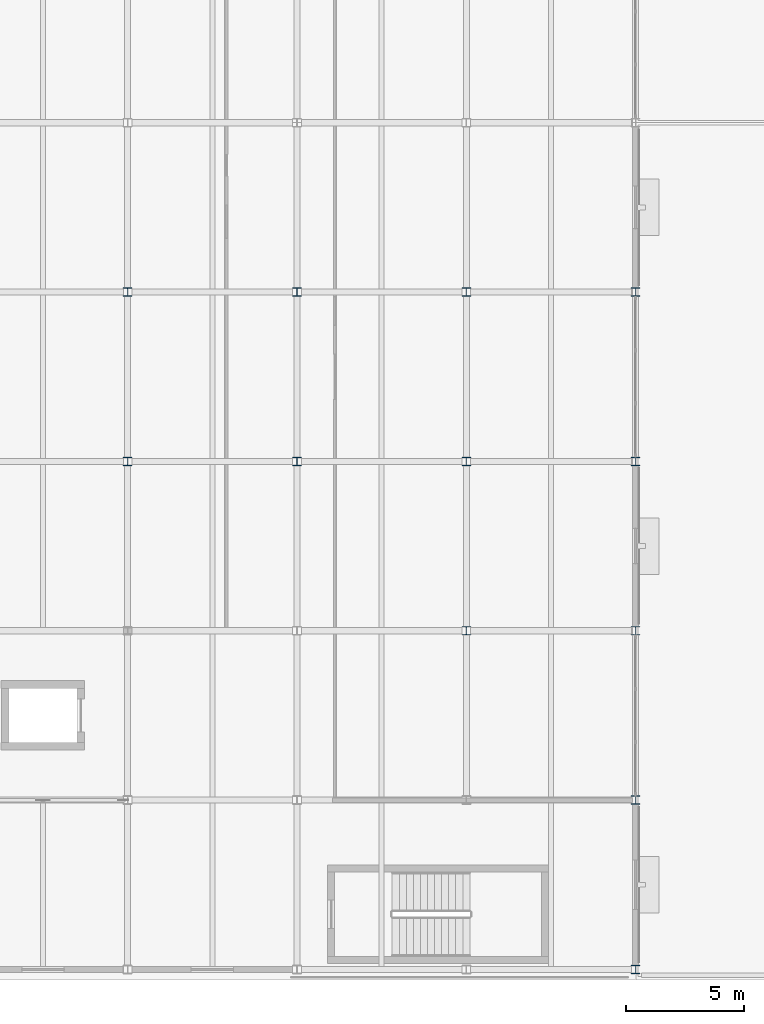
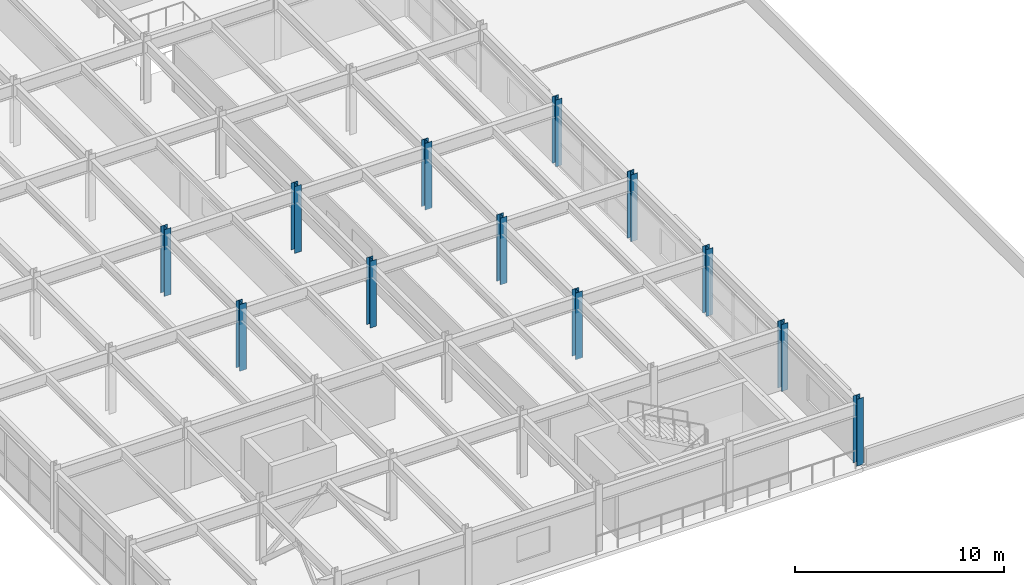
# One storey, part 10 of 80: 12 columns.
"""IFC4 building model written with IfcOpenShell, lengths in metres."""

import ifcopenshell
import ifcopenshell.guid

model = None  # the IFC model being written
_history = None  # IfcOwnerHistory: only IFC2X3 demands one
_inside = {}  # id of a spatial element -> (the spatial element, [elements in it])
_under = {}  # id of a project, library or spatial element -> (it, [spatial elements below it])
_declared = {}  # id of a project -> (the project, [libraries it declares])
_typed = {}  # id of a type object -> (the type object, [elements of that type])
_made_of = {}  # id of a material, layer set ... -> (it, [elements and type objects made of it])


def new_model(schema):
    """Start an empty IFC model of exactly this schema.

    Asked for "IFC4X3", IfcOpenShell would pick the latest addendum, in which some entities
    have other attributes; the version numbers below select the first issue.
    IFC2X3 requires an IfcOwnerHistory on every rooted entity: one is made here for all.
    """
    global model, _history
    if schema == "IFC4X3":
        model = ifcopenshell.file(schema_version=(4, 3, 0, 0))
    else:
        model = ifcopenshell.file(schema=schema)
    _inside.clear()
    _under.clear()
    _declared.clear()
    _typed.clear()
    _made_of.clear()
    _history = None
    if model.schema == "IFC2X3":
        org = make("IfcOrganization", Name="unknown")
        user = make(
            "IfcPersonAndOrganization",
            ThePerson=make("IfcPerson", FamilyName="unknown"),
            TheOrganization=org,
        )
        app = make(
            "IfcApplication",
            ApplicationDeveloper=org,
            Version="unknown",
            ApplicationFullName="unknown",
            ApplicationIdentifier="unknown",
        )
        _history = make(
            "IfcOwnerHistory",
            OwningUser=user,
            OwningApplication=app,
            ChangeAction="ADDED",
            CreationDate=0,
        )
    return model


def make(cls, **values):
    """One entity of the class cls with the attributes given. An attribute that is None is left unset."""
    return model.create_entity(
        cls, **{name: value for name, value in values.items() if value is not None}
    )


def rooted(cls, **values):
    """An entity with a GlobalId (a new one), such as an element, a storey or a relation."""
    return make(cls, GlobalId=ifcopenshell.guid.new(), OwnerHistory=_history, **values)


def si_unit(unit_type, name, prefix=None):
    """IfcSIUnit, for example si_unit("LENGTHUNIT", "METRE", prefix="MILLI")."""
    return make("IfcSIUnit", UnitType=unit_type, Prefix=prefix, Name=name)


def assignment(units):
    """IfcUnitAssignment: the units of a project."""
    return None if units is None else make("IfcUnitAssignment", Units=units)


def point(xyz):
    """IfcCartesianPoint."""
    return None if xyz is None else make("IfcCartesianPoint", Coordinates=xyz)


def direction(xyz):
    """IfcDirection."""
    return None if xyz is None else make("IfcDirection", DirectionRatios=xyz)


def frame(location, z_axis=None, x_axis=None):
    """IfcAxis2Placement3D, a coordinate frame: its origin and axes. An axis left out is left unset."""
    return make(
        "IfcAxis2Placement3D",
        Location=point(location),
        Axis=direction(z_axis),
        RefDirection=direction(x_axis),
    )


def frame_2d(location, x_axis=None):
    """IfcAxis2Placement2D, a coordinate frame in the plane: its origin and x axis."""
    return make(
        "IfcAxis2Placement2D", Location=point(location), RefDirection=direction(x_axis)
    )


def origin():
    """The frame at (0, 0, 0) with its axes left unset."""
    return frame((0.0, 0.0, 0.0))


def origin_2d():
    """The frame at (0, 0) in the plane with its x axis left unset."""
    return frame_2d((0.0, 0.0))


def place(relative_to, where):
    """IfcLocalPlacement: puts the frame where relative to a parent placement (None: the world)."""
    return make(
        "IfcLocalPlacement", PlacementRelTo=relative_to, RelativePlacement=where
    )


def context(
    kind, dimensions, precision=None, world=None, true_north=None, identifier=None
):
    """IfcGeometricRepresentationContext, for example the 3D "Model" context."""
    return make(
        "IfcGeometricRepresentationContext",
        ContextIdentifier=identifier,
        ContextType=kind,
        CoordinateSpaceDimension=dimensions,
        Precision=precision,
        WorldCoordinateSystem=world,
        TrueNorth=true_north,
    )


def subcontext(parent, identifier, kind, view, scale=None):
    """IfcGeometricRepresentationSubContext, for example "Body" below "Model"."""
    return make(
        "IfcGeometricRepresentationSubContext",
        ContextIdentifier=identifier,
        ContextType=kind,
        ParentContext=parent,
        TargetScale=scale,
        TargetView=view,
    )


def project(units=None, contexts=None):
    """IfcProject with its units and contexts."""
    return rooted(
        "IfcProject",
        Name="project",
        RepresentationContexts=contexts,
        UnitsInContext=assignment(units),
    )


def spatial(cls, under=None, at=None, **own):
    """A site, building, storey or space (cls), placed at a placement, below another one or the project."""
    s = rooted(cls, ObjectPlacement=at, **own)
    if under is not None:
        _under.setdefault(under.id(), (under, []))[1].append(s)
    return s


def profile(cls, at=None, kind="AREA", **sizes):
    """A parametric profile (cls). Its sizes go by their IFC names, for example OverallWidth=200.0."""
    return make(cls, ProfileType=kind, Position=at, **sizes)


def i_section(**sizes):
    """IfcIShapeProfileDef."""
    return profile("IfcIShapeProfileDef", **sizes)


def extrude(swept, where, along, depth):
    """IfcExtrudedAreaSolid: the profile swept, set in the frame where, extruded along a direction by depth."""
    return make(
        "IfcExtrudedAreaSolid",
        SweptArea=swept,
        Position=where,
        ExtrudedDirection=direction(along),
        Depth=depth,
    )


def shape(context_of_items, identifier, shape_type, items):
    """IfcShapeRepresentation: the items that make up one representation, for example the "Body"."""
    return make(
        "IfcShapeRepresentation",
        ContextOfItems=context_of_items,
        RepresentationIdentifier=identifier,
        RepresentationType=shape_type,
        Items=items,
    )


def material(Name=None, Category=None):
    """IfcMaterial."""
    return make("IfcMaterial", Name=Name, Category=Category)


def material_profile(
    of_material, cross_section, Name=None, Category=None, Priority=None
):
    """IfcMaterialProfile: a cross section and its material."""
    return make(
        "IfcMaterialProfile",
        Name=Name,
        Material=of_material,
        Profile=cross_section,
        Priority=Priority,
        Category=Category,
    )


def profile_set(profiles, Name=None, composite=None):
    """IfcMaterialProfileSet."""
    return make(
        "IfcMaterialProfileSet",
        Name=Name,
        MaterialProfiles=profiles,
        CompositeProfile=composite,
    )


def made_of(thing, what):
    """Note that an element or type object is made of a material, layer set ...; save() writes the relation."""
    if what is not None:
        _made_of.setdefault(what.id(), (what, []))[1].append(thing)
    return thing


def type_object(cls, material=None, **own):
    """A type object (cls), such as IfcWallType, which elements share."""
    return made_of(rooted(cls, **own), material)


def element(
    cls,
    number,
    at=None,
    inside=None,
    cuts=None,
    type_object=None,
    material=None,
    context=None,
    identifier="Body",
    shape_type=None,
    held_by="IfcProductDefinitionShape",
    body=None,
    shapes=None,
    **own,
):
    """One element of the class cls, such as IfcWall. Its Tag is "e" and its number.

    at: its placement. inside: the storey or other place that contains it. cuts: it is an
    opening in that element (IfcRelVoidsElement). A single representation is given by context,
    identifier, shape_type and body (its items); several are given by shapes. held_by: the class
    of the entity that holds the representations. save() writes the other relations.
    """
    e = rooted(cls, Tag="e%d" % number, ObjectPlacement=at, **own)
    if body is not None:
        shapes = [shape(context, identifier, shape_type, body)]
    if shapes is not None:
        e.Representation = make(held_by, Representations=shapes)
    if inside is not None:
        _inside.setdefault(inside.id(), (inside, []))[1].append(e)
    if cuts is not None:
        rooted(
            "IfcRelVoidsElement", RelatingBuildingElement=cuts, RelatedOpeningElement=e
        )
    if type_object is not None:
        _typed.setdefault(type_object.id(), (type_object, []))[1].append(e)
    return made_of(e, material)


def aggregate(whole, parts):
    """IfcRelAggregates: a whole, such as a stair, and the parts it consists of."""
    return rooted("IfcRelAggregates", RelatingObject=whole, RelatedObjects=parts)


def save(model, path):
    """Write the relations noted so far, then the file.

    IfcRelAggregates (storeys below a building ...), IfcRelContainedInSpatialStructure (elements
    in a storey), IfcRelDefinesByType, IfcRelAssociatesMaterial and IfcRelDeclares: one each for
    every whole, place, type object, material and project.
    """
    for whole, parts in _under.values():
        aggregate(whole, parts)
    for where, things in _inside.values():
        rooted(
            "IfcRelContainedInSpatialStructure",
            RelatedElements=things,
            RelatingStructure=where,
        )
    for kind, things in _typed.values():
        rooted("IfcRelDefinesByType", RelatedObjects=things, RelatingType=kind)
    for what, things in _made_of.values():
        rooted("IfcRelAssociatesMaterial", RelatedObjects=things, RelatingMaterial=what)
    for by, libraries in _declared.values():
        rooted("IfcRelDeclares", RelatingContext=by, RelatedDefinitions=libraries)
    model.write(path)


model = new_model("IFC4")

# Units and contexts
model_context = context("Model", 3, precision=1e-05, world=origin(), true_north=direction((0.0, 1.0)))
body_context = subcontext(model_context, "Body", "Model", "MODEL_VIEW")
ifc_project = project(units=[si_unit("LENGTHUNIT", "METRE"), si_unit("AREAUNIT", "SQUARE_METRE"), si_unit("VOLUMEUNIT", "CUBIC_METRE"), si_unit("PLANEANGLEUNIT", "RADIAN"), si_unit("MASSUNIT", "GRAM", prefix="KILO")], contexts=[model_context])

# Site, building, storey
site_placement = place(None, origin())
site = spatial("IfcSite", under=ifc_project, at=site_placement, CompositionType="ELEMENT")
building_placement = place(site_placement, origin())
building = spatial("IfcBuilding", under=site, at=building_placement, Name="Vaelcorin Mobility Hub", CompositionType="ELEMENT")
storey_placement = place(building_placement, frame((0.0, 0.0, 9.300048828125)))
storey = spatial("IfcBuildingStorey", under=building, at=storey_placement, Name="L02", CompositionType="ELEMENT", Elevation=9.300048828125)

# Columns
ifc_material = material(Name="Steel ASTM A992 Grade 50", Category="steel")
ifc_material_profile = material_profile(ifc_material, i_section(OverallWidth=0.367919921875, OverallDepth=0.35595703125, WebThickness=0.01123046875, FlangeThickness=0.01806640625, FilletRadius=0.014892578125, at=origin_2d()), Name="W14X90")
ifc_profile_set = profile_set([ifc_material_profile], Name="Steel ASTM A992 Grade 50")
column_type = type_object("IfcColumnType", Name="COL-W14X90", PredefinedType="COLUMN", material=ifc_profile_set)
for number, where, z_axis, x_axis, name in (
    (1, (168.0, 27.60009765625, 0.0), (0.0, 0.0, 1.0), (1.0, 0.0, 0.0), "Column V5-X03Y04 L02"),
    (2, (168.0, 34.800048828125, 0.0), (0.0, 0.0, 1.0), (1.0, 0.0, 0.0), "Column V5-X03Y05 L02"),
    (3, (175.199951171875, 27.60009765625, 0.0), (0.0, 0.0, 1.0), (1.0, 0.0, 0.0), "Column V5-X04Y04 L02"),
    (4, (175.199951171875, 34.800048828125, 0.0), (0.0, 0.0, 1.0), (1.0, 0.0, 0.0), "Column V5-X04Y05 L02"),
    (5, (182.39990234375, 20.39990234375, 0.0), (0.0, 0.0, 1.0), (1.0, 0.0, 0.0), "Column V5-X05Y03 L02"),
    (6, (182.39990234375, 27.60009765625, 0.0), (0.0, 0.0, 1.0), (1.0, 0.0, 0.0), "Column V5-X05Y04 L02"),
    (7, (182.39990234375, 34.800048828125, 0.0), (0.0, 0.0, 1.0), (1.0, 0.0, 0.0), "Column V5-X05Y05 L02"),
    (8, (189.60009765625, 6.0, 0.0), (0.0, 0.0, 1.0), (1.0, 0.0, 0.0), "Column V5-X06Y01 L02"),
    (9, (189.60009765625, 13.199951171875, 0.0), (0.0, 0.0, 1.0), (1.0, 0.0, 0.0), "Column V5-X06Y02 L02"),
    (10, (189.60009765625, 20.39990234375, 0.0), (0.0, 0.0, 1.0), (1.0, 0.0, 0.0), "Column V5-X06Y03 L02"),
    (11, (189.60009765625, 27.60009765625, 0.0), (0.0, 0.0, 1.0), (1.0, 0.0, 0.0), "Column V5-X06Y04 L02"),
    (12, (189.60009765625, 34.800048828125, 0.0), (0.0, 0.0, 1.0), (1.0, 0.0, 0.0), "Column V5-X06Y05 L02"),
):
    element("IfcColumn", number, at=place(storey_placement, frame(where, z_axis=z_axis, x_axis=x_axis)), inside=storey, type_object=column_type, Name=name, PredefinedType="COLUMN", context=body_context, shape_type="SweptSolid", body=[
        extrude(i_section(OverallWidth=0.367919921875, OverallDepth=0.35595703125, WebThickness=0.01123046875, FlangeThickness=0.01806640625, FilletRadius=0.014892578125, at=origin_2d()), origin(), (0.0, 0.0, 1.0), 3.89990234375),
    ])

save(model, "model.ifc")
